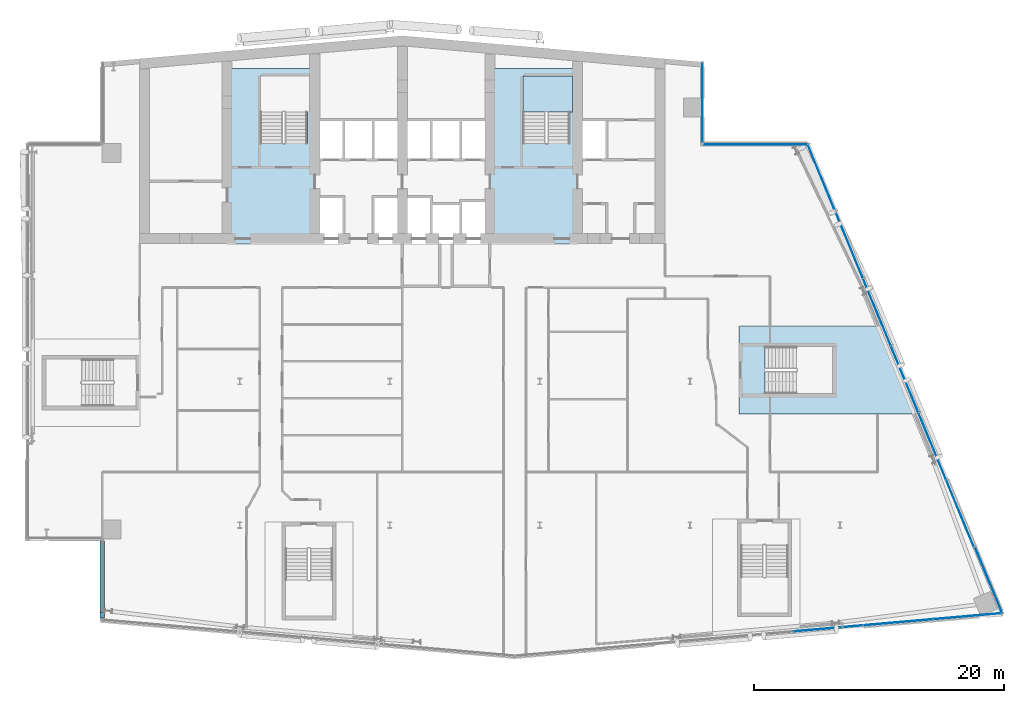
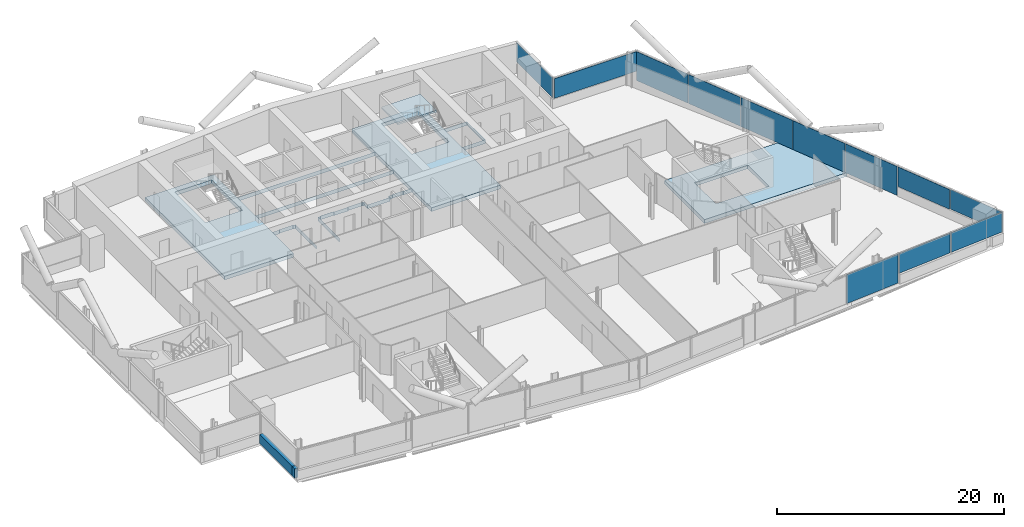
# One storey, part 13 of 26: 12 plates, 3 slabs, 2 walls, 5 elements without a shape of their own.
"""IFC4 building model written with IfcOpenShell, lengths in metres."""

from ifc_helpers import new_model, si_unit, direction, frame, frame_2d, origin, origin_2d, place, context, subcontext, project, spatial, polyline, rectangle, outline, extrude, material, layer, layer_set, type_object, element, aggregate, save


model = new_model("IFC4")

# Units and contexts
model_context = context("Model", 3, precision=1e-05, world=origin(), true_north=direction((0.0, 1.0)))
body_context = subcontext(model_context, "Body", "Model", "MODEL_VIEW")
ifc_project = project(units=[si_unit("LENGTHUNIT", "METRE"), si_unit("AREAUNIT", "SQUARE_METRE"), si_unit("VOLUMEUNIT", "CUBIC_METRE"), si_unit("PLANEANGLEUNIT", "RADIAN"), si_unit("MASSUNIT", "GRAM", prefix="KILO")], contexts=[model_context])

# Site, building, storey
site_placement = place(None, origin())
site = spatial("IfcSite", under=ifc_project, at=site_placement, CompositionType="ELEMENT")
building_placement = place(site_placement, origin())
building = spatial("IfcBuilding", under=site, at=building_placement, Name="Wharfspan Tower", CompositionType="ELEMENT")
storey_placement = place(building_placement, frame((0.0, 0.0, 166.300049)))
storey = spatial("IfcBuildingStorey", under=building, at=storey_placement, Name="L40", CompositionType="ELEMENT", Elevation=166.300049)

# Curtain wall, plates
ifc_material_1 = material(Name="Aluminium 6063-T6", Category="aluminium")
curtain_wall_type_1 = type_object("IfcCurtainWallType", Name="CURTAIN WALL FACETED FRONT", PredefinedType="NOTDEFINED", material=ifc_material_1)
curtain_wall_1_placement = place(storey_placement, origin())
curtain_wall_1 = element("IfcCurtainWall", 1, at=curtain_wall_1_placement, inside=storey, type_object=curtain_wall_type_1, Name="Curtain wall S2", PredefinedType="NOTDEFINED")
ifc_material_2 = material(Name="Glass clear low-iron double glazing", Category="glass")
ifc_layer_1 = layer(ifc_material_2, 0.040039)
ifc_layer_set_1 = layer_set([ifc_layer_1], Name="Glass clear low-iron double glazing")
plate_type_1 = type_object("IfcPlateType", Name="GLASS PANEL FACETED FRONT 40", PredefinedType="CURTAIN_PANEL", material=ifc_layer_set_1)
plate_1_placement = place(storey_placement, frame((76.637695, 3.728516, 1.0), z_axis=(0.0, 0.0, 1.0), x_axis=(0.996198, 0.087156, 0.0)))
plate_1 = element("IfcPlate", 2, at=plate_1_placement, type_object=plate_type_1, Name="Curtain wall S2 panel 6", PredefinedType="CURTAIN_PANEL", context=body_context, shape_type="SweptSolid", body=[
    extrude(rectangle(XDim=5.532715, YDim=0.040039, at=origin_2d()), origin(), (0.0, 0.0, 1.0), 2.120117),
])
plate_2_placement = place(storey_placement, frame((82.194092, 4.214844, 1.0), z_axis=(0.0, 0.0, 1.0), x_axis=(0.996198, 0.087156, 0.0)))
plate_2 = element("IfcPlate", 3, at=plate_2_placement, type_object=plate_type_1, Name="Curtain wall S2 panel 7", PredefinedType="CURTAIN_PANEL", context=body_context, shape_type="SweptSolid", body=[
    extrude(rectangle(XDim=5.502686, YDim=0.040039, at=origin_2d()), origin(), (0.0, 0.0, 1.0), 2.120117),
])

curtain_wall_type_2 = type_object("IfcCurtainWallType", Name="CURTAIN WALL PROW AND END", PredefinedType="NOTDEFINED", material=ifc_material_1)
curtain_wall_2_placement = place(storey_placement, origin())
curtain_wall_2 = element("IfcCurtainWall", 4, at=curtain_wall_2_placement, inside=storey, type_object=curtain_wall_type_2, Name="Curtain wall E", PredefinedType="NOTDEFINED")
ifc_layer_2 = layer(ifc_material_2, 0.040039)
ifc_layer_set_2 = layer_set([ifc_layer_2], Name="Glass clear low-iron double glazing")
plate_type_2 = type_object("IfcPlateType", Name="GLASS PANEL PROW AND END 40", PredefinedType="CURTAIN_PANEL", material=ifc_layer_set_2)
plate_3_placement = place(storey_placement, frame((83.885498, 7.099609, 1.0), z_axis=(0.0, 0.0, 1.0), x_axis=(-0.381602, 0.924325, 0.0)))
plate_3 = element("IfcPlate", 5, at=plate_3_placement, type_object=plate_type_2, Name="Curtain wall E panel 1", PredefinedType="CURTAIN_PANEL", context=body_context, shape_type="SweptSolid", body=[
    extrude(rectangle(XDim=5.721191, YDim=0.040039, at=origin_2d()), origin(), (0.0, 0.0, 1.0), 2.120117),
])
plate_4_placement = place(storey_placement, frame((81.599609, 12.426514, 1.0), z_axis=(0.0, 0.0, 1.0), x_axis=(-0.381602, 0.924325, 0.0)))
plate_4 = element("IfcPlate", 6, at=plate_4_placement, type_object=plate_type_2, Name="Curtain wall E panel 2", PredefinedType="CURTAIN_PANEL", context=body_context, shape_type="SweptSolid", body=[
    extrude(rectangle(XDim=5.751221, YDim=0.040039, at=origin_2d()), origin(), (0.0, 0.0, 1.0), 2.120117),
])

# Curtain wall, plate
curtain_wall_3_placement = place(storey_placement, origin())
curtain_wall_3 = element("IfcCurtainWall", 7, at=curtain_wall_3_placement, inside=storey, type_object=curtain_wall_type_2, Name="Curtain wall NRE-H", PredefinedType="NOTDEFINED")
plate_5_placement = place(storey_placement, frame((65.238525, 41.919922, 1.0), z_axis=(0.0, 0.0, 1.0), x_axis=(-1.0, 0.0, 0.0)))
plate_5 = element("IfcPlate", 8, at=plate_5_placement, type_object=plate_type_2, Name="Curtain wall NRE-H panel 1", PredefinedType="CURTAIN_PANEL", context=body_context, shape_type="SweptSolid", body=[
    extrude(rectangle(XDim=8.357178, YDim=0.040039, at=origin_2d()), origin(), (0.0, 0.0, 1.0), 2.120117),
])
aggregate(curtain_wall_3, [plate_5])

curtain_wall_4_placement = place(storey_placement, origin())
curtain_wall_4 = element("IfcCurtainWall", 9, at=curtain_wall_4_placement, inside=storey, type_object=curtain_wall_type_2, Name="Curtain wall NRE-V", PredefinedType="NOTDEFINED")
plate_6_placement = place(storey_placement, frame((61.0, 45.262451, 1.0), z_axis=(0.0, 0.0, 1.0), x_axis=(0.0, 1.0, 0.0)))
plate_6 = element("IfcPlate", 10, at=plate_6_placement, type_object=plate_type_2, Name="Curtain wall NRE-V panel 1", PredefinedType="CURTAIN_PANEL", context=body_context, shape_type="SweptSolid", body=[
    extrude(rectangle(XDim=6.405029, YDim=0.040039, at=origin_2d()), origin(), (0.0, 0.0, 1.0), 2.120117),
])
aggregate(curtain_wall_4, [plate_6])

# Plate
ifc_material_3 = material(Name="Aluminium composite opaque insulated panel", Category="aluminium")
ifc_layer_3 = layer(ifc_material_3, 0.040039)
ifc_layer_set_3 = layer_set([ifc_layer_3], Name="Aluminium composite opaque insulated panel")
plate_type_3 = type_object("IfcPlateType", Name="INFILL PANEL FACETED FRONT OPAQUE 40", PredefinedType="SHEET", material=ifc_layer_set_3)
plate_7_placement = place(storey_placement, frame((71.066162, 3.241211, 0.0), z_axis=(0.0, 0.0, 1.0), x_axis=(0.996198, 0.087156, 0.0)))
plate_7 = element("IfcPlate", 11, at=plate_7_placement, type_object=plate_type_3, Name="Curtain wall S2 panel 5", PredefinedType="SHEET", context=body_context, shape_type="SweptSolid", body=[
    extrude(rectangle(XDim=5.532715, YDim=0.040039, at=origin_2d()), origin(), (0.0, 0.0, 1.0), 3.120117),
])

aggregate(curtain_wall_1, [plate_7, plate_1, plate_2])

ifc_layer_4 = layer(ifc_material_3, 0.040039)
ifc_layer_set_4 = layer_set([ifc_layer_4], Name="Aluminium composite opaque insulated panel")
plate_type_4 = type_object("IfcPlateType", Name="INFILL PANEL PROW AND END OPAQUE 40", PredefinedType="SHEET", material=ifc_layer_set_4)
plate_8_placement = place(storey_placement, frame((79.38208, 17.798096, 0.0), z_axis=(0.0, 0.0, 1.0), x_axis=(-0.381602, 0.924325, 0.0)))
plate_8 = element("IfcPlate", 12, at=plate_8_placement, type_object=plate_type_4, Name="Curtain wall E panel 3", PredefinedType="SHEET", context=body_context, shape_type="SweptSolid", body=[
    extrude(rectangle(XDim=5.751221, YDim=0.040039, at=origin_2d()), origin(), (0.0, 0.0, 1.0), 3.120117),
])

plate_9_placement = place(storey_placement, frame((77.164551, 23.169434, 0.0), z_axis=(0.0, 0.0, 1.0), x_axis=(-0.381602, 0.924325, 0.0)))
plate_9 = element("IfcPlate", 13, at=plate_9_placement, type_object=plate_type_4, Name="Curtain wall E panel 4", PredefinedType="SHEET", context=body_context, shape_type="SweptSolid", body=[
    extrude(rectangle(XDim=5.751221, YDim=0.040039, at=origin_2d()), origin(), (0.0, 0.0, 1.0), 3.120117),
])

plate_10_placement = place(storey_placement, frame((74.947021, 28.541016, 0.0), z_axis=(0.0, 0.0, 1.0), x_axis=(-0.381602, 0.924325, 0.0)))
plate_10 = element("IfcPlate", 14, at=plate_10_placement, type_object=plate_type_4, Name="Curtain wall E panel 5", PredefinedType="SHEET", context=body_context, shape_type="SweptSolid", body=[
    extrude(rectangle(XDim=5.751221, YDim=0.040039, at=origin_2d()), origin(), (0.0, 0.0, 1.0), 3.120117),
])

plate_11_placement = place(storey_placement, frame((72.729492, 33.912354, 0.0), z_axis=(0.0, 0.0, 1.0), x_axis=(-0.381602, 0.924325, 0.0)))
plate_11 = element("IfcPlate", 15, at=plate_11_placement, type_object=plate_type_4, Name="Curtain wall E panel 6", PredefinedType="SHEET", context=body_context, shape_type="SweptSolid", body=[
    extrude(rectangle(XDim=5.751221, YDim=0.040039, at=origin_2d()), origin(), (0.0, 0.0, 1.0), 3.120117),
])

plate_12_placement = place(storey_placement, frame((70.517578, 39.269775, 0.0), z_axis=(0.0, 0.0, 1.0), x_axis=(-0.381602, 0.924325, 0.0)))
plate_12 = element("IfcPlate", 16, at=plate_12_placement, type_object=plate_type_4, Name="Curtain wall E panel 7", PredefinedType="SHEET", context=body_context, shape_type="SweptSolid", body=[
    extrude(rectangle(XDim=5.721191, YDim=0.040039, at=origin_2d()), origin(), (0.0, 0.0, 1.0), 3.120117),
])

aggregate(curtain_wall_2, [plate_3, plate_4, plate_8, plate_9, plate_10, plate_11, plate_12])

# Slabs
ifc_material_4 = material(Name="Concrete C40/50", Category="concrete")
ifc_layer_5 = layer(ifc_material_4, 0.399902)
ifc_layer_set_5 = layer_set([ifc_layer_5], Name="Concrete C40/50")
slab_type_1 = type_object("IfcSlabType", Name="Post-tensioned flat slab 400", PredefinedType="FLOOR", material=ifc_layer_set_5)
slab_1_placement = place(storey_placement, frame((0.0, 0.0, -0.400146)))
element("IfcSlab", 17, at=slab_1_placement, inside=storey, type_object=slab_type_1, Name="Core floor slab L40 part 3", PredefinedType="FLOOR", context=body_context, shape_type="SweptSolid", body=[
    extrude(outline(polyline([(23.0, 34.0), (29.998047, 34.0), (29.998047, 37.75), (29.998047, 37.750244), (29.998047, 37.750488), (29.998047, 37.750488), (29.998291, 37.750732), (29.998291, 37.750977), (29.998291, 37.751221), (29.998535, 37.751221), (29.998535, 37.751465), (29.998779, 37.751465), (29.998779, 37.751709), (29.999023, 37.751709), (29.999268, 37.751709), (29.999512, 37.751953), (29.999512, 37.751953), (29.999756, 37.751953), (30.0, 37.751953), (30.7146, 37.751953), (30.7146, 37.800049), (30.7146, 37.800293), (30.7146, 37.800293), (30.714844, 37.800537), (30.714844, 37.800781), (30.714844, 37.800781), (30.715088, 37.801025), (30.715088, 37.80127), (30.715332, 37.801514), (30.715332, 37.801514), (30.715576, 37.801758), (30.71582, 37.801758), (30.71582, 37.801758), (30.716064, 37.802002), (30.716309, 37.802002), (30.716553, 37.802002), (30.716797, 37.802002), (32.116699, 37.802002), (32.116943, 37.802002), (32.117188, 37.802002), (32.117188, 37.802002), (32.117432, 37.801758), (32.117676, 37.801758), (32.11792, 37.801758), (32.11792, 37.801514), (32.118164, 37.801514), (32.118164, 37.80127), (32.118408, 37.801025), (32.118408, 37.800781), (32.118408, 37.800781), (32.118652, 37.800537), (32.118652, 37.800293), (32.118652, 37.800293), (32.118652, 37.800049), (32.118652, 37.751953), (32.333252, 37.751953), (32.333496, 37.751953), (32.33374, 37.751953), (32.333984, 37.751953), (32.333984, 37.751709), (32.334229, 37.751709), (32.334473, 37.751709), (32.334717, 37.751465), (32.334717, 37.751465), (32.334961, 37.751221), (32.334961, 37.751221), (32.335205, 37.750977), (32.335205, 37.750732), (32.335205, 37.750488), (32.335205, 37.750488), (32.335205, 37.750244), (32.335205, 37.75), (32.335205, 34.0), (32.341309, 34.0), (32.341309, 37.758057), (32.126709, 37.758057), (32.126465, 37.758057), (32.126221, 37.758057), (32.126221, 37.758057), (32.125977, 37.758301), (32.125732, 37.758301), (32.125488, 37.758301), (32.125488, 37.758545), (32.125244, 37.758545), (32.125244, 37.758789), (32.125, 37.758789), (32.125, 37.759033), (32.125, 37.759277), (32.124756, 37.759521), (32.124756, 37.759521), (32.124756, 37.759766), (32.124756, 37.76001), (32.124756, 37.808105), (30.70874, 37.808105), (30.70874, 37.76001), (30.70874, 37.759766), (30.70874, 37.759521), (30.708496, 37.759521), (30.708496, 37.759277), (30.708496, 37.759033), (30.708496, 37.758789), (30.708252, 37.758789), (30.708008, 37.758545), (30.708008, 37.758545), (30.707764, 37.758301), (30.70752, 37.758301), (30.70752, 37.758301), (30.707275, 37.758057), (30.707031, 37.758057), (30.706787, 37.758057), (30.706787, 37.758057), (30.01001, 37.758057), (30.009766, 37.758057), (30.009521, 37.758057), (30.009521, 37.758057), (30.009277, 37.758301), (30.009033, 37.758301), (30.008789, 37.758301), (30.008789, 37.758545), (30.008545, 37.758545), (30.008545, 37.758789), (30.008301, 37.758789), (30.008301, 37.759033), (30.008301, 37.759277), (30.008057, 37.759521), (30.008057, 37.759521), (30.008057, 37.759766), (30.008057, 37.76001), (30.008057, 40.689941), (30.008057, 40.690186), (30.008057, 40.69043), (30.008057, 40.690674), (30.008301, 40.690918), (30.008301, 40.690918), (30.008301, 40.691162), (30.008545, 40.691406), (30.008545, 40.691406), (30.008789, 40.691406), (30.008789, 40.69165), (30.009033, 40.691895), (30.009277, 40.691895), (30.009521, 40.691895), (30.009521, 40.691895), (30.009766, 40.691895), (30.01001, 40.691895), (43.98999, 40.691895), (43.990234, 40.691895), (43.990479, 40.691895), (43.990479, 40.691895), (43.990723, 40.691895), (43.990967, 40.691895), (43.991211, 40.69165), (43.991211, 40.691406), (43.991455, 40.691406), (43.991455, 40.691406), (43.991699, 40.691162), (43.991699, 40.690918), (43.991699, 40.690918), (43.991943, 40.690674), (43.991943, 40.69043), (43.991943, 40.690186), (43.991943, 40.689941), (43.991943, 37.459961), (43.991943, 37.459717), (43.991943, 37.459717), (43.991943, 37.459473), (43.991699, 37.459229), (43.991699, 37.458984), (43.991699, 37.458984), (43.991455, 37.45874), (43.991455, 37.458496), (43.991211, 37.458496), (43.991211, 37.458252), (43.990967, 37.458252), (43.990723, 37.458252), (43.990479, 37.458008), (43.990479, 37.458008), (43.990234, 37.458008), (43.98999, 37.458008), (43.143311, 37.458008), (43.143066, 37.458008), (43.142822, 37.458008), (43.142578, 37.458008), (43.142578, 37.458252), (43.142334, 37.458252), (43.14209, 37.458252), (43.14209, 37.458496), (43.141846, 37.458496), (43.141846, 37.45874), (43.141602, 37.458984), (43.141602, 37.458984), (43.141602, 37.459229), (43.141357, 37.459473), (43.141357, 37.459717), (43.141357, 37.459717), (43.141357, 37.459961), (43.141357, 37.508057), (42.025391, 37.508057), (42.025391, 37.459961), (42.025391, 37.459717), (42.025391, 37.459717), (42.025146, 37.459473), (42.025146, 37.459229), (42.025146, 37.458984), (42.024902, 37.458984), (42.024902, 37.45874), (42.024658, 37.458496), (42.024658, 37.458496), (42.024414, 37.458252), (42.02417, 37.458252), (42.02417, 37.458252), (42.023926, 37.458008), (42.023682, 37.458008), (42.023438, 37.458008), (42.023193, 37.458008), (41.658691, 37.458008), (41.658691, 37.209961), (41.658691, 37.209717), (41.658691, 37.209717), (41.658691, 37.209473), (41.658447, 37.209229), (41.658447, 37.208984), (41.658447, 37.208984), (41.658203, 37.20874), (41.658203, 37.208496), (41.657959, 37.208496), (41.657715, 37.208252), (41.657715, 37.208252), (41.657471, 37.208252), (41.657227, 37.208008), (41.656982, 37.208008), (41.656982, 37.208008), (41.656738, 37.208008), (39.343262, 37.208008), (39.343018, 37.208008), (39.343018, 37.208008), (39.342773, 37.208008), (39.342529, 37.208252), (39.342285, 37.208252), (39.342285, 37.208252), (39.342041, 37.208496), (39.341797, 37.208496), (39.341797, 37.20874), (39.341553, 37.208984), (39.341553, 37.208984), (39.341553, 37.209229), (39.341309, 37.209473), (39.341309, 37.209717), (39.341309, 37.209717), (39.341309, 37.209961), (39.341309, 37.758057), (39.166748, 37.758057), (39.166504, 37.758057), (39.16626, 37.758057), (39.166016, 37.758057), (39.166016, 37.758301), (39.165771, 37.758301), (39.165527, 37.758301), (39.165283, 37.758545), (39.165283, 37.758545), (39.165283, 37.758789), (39.165039, 37.758789), (39.164795, 37.759033), (39.164795, 37.759277), (39.164795, 37.759521), (39.164795, 37.759521), (39.164795, 37.759766), (39.164795, 37.76001), (39.164795, 37.808105), (37.668701, 37.808105), (37.668701, 37.76001), (37.668701, 37.759766), (37.668701, 37.759521), (37.668701, 37.759521), (37.668457, 37.759277), (37.668457, 37.759033), (37.668457, 37.758789), (37.668213, 37.758789), (37.668213, 37.758545), (37.667969, 37.758545), (37.667725, 37.758301), (37.66748, 37.758301), (37.66748, 37.758301), (37.667236, 37.758057), (37.666992, 37.758057), (37.666992, 37.758057), (37.666748, 37.758057), (36.293213, 37.758057), (36.293213, 37.758057), (36.292969, 37.758057), (36.292725, 37.758057), (36.29248, 37.758301), (36.29248, 37.758301), (36.292236, 37.758301), (36.291992, 37.758545), (36.291992, 37.758545), (36.291748, 37.758789), (36.291504, 37.758789), (36.291504, 37.759033), (36.291504, 37.759277), (36.291504, 37.759521), (36.29126, 37.759521), (36.29126, 37.759766), (36.29126, 37.76001), (36.29126, 37.808105), (34.875244, 37.808105), (34.875244, 37.76001), (34.875244, 37.759766), (34.875244, 37.759521), (34.875244, 37.759521), (34.875, 37.759277), (34.875, 37.759033), (34.875, 37.758789), (34.874756, 37.758789), (34.874756, 37.758545), (34.874512, 37.758545), (34.874512, 37.758301), (34.874268, 37.758301), (34.874023, 37.758301), (34.873779, 37.758057), (34.873779, 37.758057), (34.873535, 37.758057), (34.873291, 37.758057), (34.658691, 37.758057), (34.658691, 34.0), (34.664795, 34.0), (34.664795, 37.75), (34.664795, 37.750244), (34.664795, 37.750488), (34.664795, 37.750488), (34.664795, 37.750732), (34.664795, 37.750977), (34.665039, 37.751221), (34.665039, 37.751221), (34.665283, 37.751465), (34.665283, 37.751465), (34.665527, 37.751709), (34.665771, 37.751709), (34.666016, 37.751709), (34.666016, 37.751953), (34.66626, 37.751953), (34.666504, 37.751953), (34.666748, 37.751953), (34.881348, 37.751953), (34.881348, 37.800049), (34.881348, 37.800293), (34.881348, 37.800293), (34.881348, 37.800537), (34.881592, 37.800781), (34.881592, 37.800781), (34.881592, 37.801025), (34.881836, 37.80127), (34.881836, 37.801514), (34.88208, 37.801514), (34.88208, 37.801758), (34.882324, 37.801758), (34.882568, 37.801758), (34.882812, 37.802002), (34.882812, 37.802002), (34.883057, 37.802002), (34.883301, 37.802002), (36.283203, 37.802002), (36.283447, 37.802002), (36.283691, 37.802002), (36.283936, 37.802002), (36.28418, 37.801758), (36.28418, 37.801758), (36.284424, 37.801758), (36.284668, 37.801514), (36.284668, 37.801514), (36.284912, 37.80127), (36.284912, 37.801025), (36.285156, 37.800781), (36.285156, 37.800781), (36.285156, 37.800537), (36.2854, 37.800293), (36.2854, 37.800293), (36.2854, 37.800049), (36.2854, 37.751953), (37.674805, 37.751953), (37.674805, 37.800049), (37.674805, 37.800293), (37.674805, 37.800293), (37.674805, 37.800537), (37.674805, 37.800781), (37.674805, 37.800781), (37.675049, 37.801025), (37.675049, 37.80127), (37.675293, 37.801514), (37.675293, 37.801514), (37.675537, 37.801758), (37.675781, 37.801758), (37.675781, 37.801758), (37.676025, 37.802002), (37.67627, 37.802002), (37.676514, 37.802002), (37.676758, 37.802002), (39.156738, 37.802002), (39.156982, 37.802002), (39.156982, 37.802002), (39.157227, 37.802002), (39.157471, 37.801758), (39.157715, 37.801758), (39.157715, 37.801758), (39.157959, 37.801514), (39.158203, 37.801514), (39.158203, 37.80127), (39.158203, 37.801025), (39.158447, 37.800781), (39.158447, 37.800781), (39.158691, 37.800537), (39.158691, 37.800293), (39.158691, 37.800293), (39.158691, 37.800049), (39.158691, 37.751953), (39.333252, 37.751953), (39.333496, 37.751953), (39.33374, 37.751953), (39.333984, 37.751953), (39.333984, 37.751709), (39.334229, 37.751709), (39.334473, 37.751709), (39.334717, 37.751465), (39.334717, 37.751465), (39.334961, 37.751221), (39.334961, 37.751221), (39.335205, 37.750977), (39.335205, 37.750732), (39.335205, 37.750488), (39.335205, 37.750488), (39.335205, 37.750244), (39.335205, 37.75), (39.335205, 37.201904), (41.664795, 37.201904), (41.664795, 37.449951), (41.664795, 37.450195), (41.664795, 37.450439), (41.664795, 37.450684), (41.664795, 37.450684), (41.664795, 37.450928), (41.665039, 37.451172), (41.665039, 37.451416), (41.665283, 37.451416), (41.665283, 37.451416), (41.665527, 37.45166), (41.665771, 37.451904), (41.666016, 37.451904), (41.666016, 37.451904), (41.66626, 37.451904), (41.666504, 37.451904), (41.666748, 37.451904), (42.03125, 37.451904), (42.03125, 37.5), (42.03125, 37.500244), (42.031494, 37.500488), (42.031494, 37.500488), (42.031494, 37.500732), (42.031494, 37.500977), (42.031738, 37.501221), (42.031738, 37.501221), (42.031982, 37.501465), (42.031982, 37.501465), (42.032227, 37.501709), (42.032471, 37.501709), (42.032715, 37.501709), (42.032715, 37.501953), (42.032959, 37.501953), (42.033203, 37.501953), (42.033203, 37.501953), (43.133301, 37.501953), (43.133545, 37.501953), (43.133789, 37.501953), (43.133789, 37.501953), (43.134033, 37.501709), (43.134277, 37.501709), (43.134521, 37.501709), (43.134521, 37.501465), (43.134766, 37.501465), (43.13501, 37.501221), (43.13501, 37.501221), (43.13501, 37.500977), (43.135254, 37.500732), (43.135254, 37.500488), (43.135254, 37.500488), (43.135254, 37.500244), (43.135254, 37.5), (43.135254, 37.451904), (44.0, 37.451904), (44.000244, 37.451904), (44.000488, 37.451904), (44.000488, 37.451904), (44.000732, 37.451904), (44.000977, 37.451904), (44.001221, 37.45166), (44.001221, 37.451416), (44.001465, 37.451416), (44.001465, 37.451416), (44.001709, 37.451172), (44.001709, 37.450928), (44.001709, 37.450684), (44.001953, 37.450684), (44.001953, 37.450439), (44.001953, 37.450195), (44.001953, 37.449951), (44.001953, 34.0), (51.0, 34.0), (51.008057, 34.0), (51.008057, 40.689941), (51.008057, 40.690186), (51.008057, 40.69043), (51.008057, 40.690674), (51.008301, 40.690918), (51.008301, 40.690918), (51.008301, 40.691162), (51.008545, 40.691406), (51.008545, 40.691406), (51.008789, 40.691406), (51.008789, 40.69165), (51.009033, 40.691895), (51.009277, 40.691895), (51.009521, 40.691895), (51.009521, 40.691895), (51.009766, 40.691895), (51.01001, 40.691895), (53.341309, 40.691895), (53.341309, 43.907959), (51.01001, 43.907959), (51.009766, 43.907959), (51.009521, 43.907959), (51.009521, 43.908203), (51.009277, 43.908203), (51.009033, 43.908203), (51.008789, 43.908203), (51.008789, 43.908447), (51.008545, 43.908691), (51.008545, 43.908691), (51.008301, 43.908936), (51.008301, 43.90918), (51.008301, 43.90918), (51.008057, 43.909424), (51.008057, 43.909668), (51.008057, 43.909912), (51.008057, 43.909912), (51.008057, 48.008057), (43.991943, 48.008057), (43.991943, 43.909912), (43.991943, 43.909912), (43.991943, 43.909668), (43.991943, 43.909424), (43.991699, 43.90918), (43.991699, 43.90918), (43.991699, 43.908936), (43.991455, 43.908691), (43.991455, 43.908691), (43.991211, 43.908447), (43.991211, 43.908203), (43.990967, 43.908203), (43.990723, 43.908203), (43.990479, 43.908203), (43.990479, 43.907959), (43.990234, 43.907959), (43.98999, 43.907959), (30.01001, 43.907959), (30.009766, 43.907959), (30.009521, 43.907959), (30.009521, 43.908203), (30.009277, 43.908203), (30.009033, 43.908203), (30.008789, 43.908203), (30.008789, 43.908447), (30.008545, 43.908691), (30.008545, 43.908691), (30.008301, 43.908936), (30.008301, 43.90918), (30.008301, 43.90918), (30.008057, 43.909424), (30.008057, 43.909668), (30.008057, 43.909912), (30.008057, 43.909912), (30.008057, 48.008057), (22.991943, 48.008057), (22.991943, 34.0), (23.0, 34.0)]), holes=[polyline([(53.333252, 43.9021), (53.333496, 43.9021), (53.33374, 43.9021), (53.333984, 43.901855), (53.333984, 43.901855), (53.334229, 43.901855), (53.334473, 43.901611), (53.334717, 43.901611), (53.334717, 43.901367), (53.334961, 43.901367), (53.334961, 43.901123), (53.335205, 43.900879), (53.335205, 43.900879), (53.335205, 43.900635), (53.335205, 43.900391), (53.335205, 43.900146), (53.335205, 43.899902), (53.335205, 40.699951), (53.335205, 40.699707), (53.335205, 40.699707), (53.335205, 40.699463), (53.335205, 40.699219), (53.335205, 40.699219), (53.334961, 40.698975), (53.334961, 40.69873), (53.334717, 40.698486), (53.334717, 40.698486), (53.334473, 40.698242), (53.334229, 40.698242), (53.333984, 40.698242), (53.333984, 40.697998), (53.33374, 40.697998), (53.333496, 40.697998), (53.333252, 40.697998), (51.0, 40.697998), (50.999756, 40.697998), (50.999512, 40.697998), (50.999512, 40.697998), (50.999268, 40.698242), (50.999023, 40.698242), (50.998779, 40.698242), (50.998779, 40.698486), (50.998535, 40.698486), (50.998535, 40.69873), (50.998291, 40.698975), (50.998291, 40.699219), (50.998291, 40.699219), (50.998047, 40.699463), (50.998047, 40.699707), (50.998047, 40.699707), (50.998047, 40.699951), (50.998047, 43.899902), (50.998047, 43.900146), (50.998047, 43.900391), (50.998047, 43.900635), (50.998291, 43.900879), (50.998291, 43.900879), (50.998291, 43.901123), (50.998535, 43.901367), (50.998535, 43.901367), (50.998779, 43.901611), (50.998779, 43.901611), (50.999023, 43.901855), (50.999268, 43.901855), (50.999512, 43.901855), (50.999512, 43.9021), (50.999756, 43.9021), (51.0, 43.9021), (53.333252, 43.9021)]), polyline([(46.649902, 41.998047), (46.649902, 41.998047), (46.649658, 41.998047), (46.649414, 41.998047), (46.64917, 41.998291), (46.64917, 41.998291), (46.648926, 41.998291), (46.648682, 41.998535), (46.648682, 41.998535), (46.648438, 41.998779), (46.648193, 41.998779), (46.648193, 41.999023), (46.648193, 41.999268), (46.648193, 41.999512), (46.647949, 41.999512), (46.647949, 41.999756), (46.647949, 42.0), (46.647949, 47.399902), (46.647949, 47.400146), (46.647949, 47.400391), (46.648193, 47.400635), (46.648193, 47.400879), (46.648193, 47.400879), (46.648193, 47.401123), (46.648438, 47.401367), (46.648682, 47.401367), (46.648682, 47.401611), (46.648926, 47.401611), (46.64917, 47.401855), (46.64917, 47.401855), (46.649414, 47.401855), (46.649658, 47.4021), (46.649902, 47.4021), (46.649902, 47.4021), (50.399902, 47.4021), (50.400146, 47.4021), (50.400391, 47.4021), (50.400635, 47.401855), (50.400879, 47.401855), (50.400879, 47.401855), (50.401123, 47.401611), (50.401367, 47.401611), (50.401367, 47.401367), (50.401611, 47.401367), (50.401611, 47.401123), (50.401855, 47.400879), (50.401855, 47.400879), (50.401855, 47.400635), (50.4021, 47.400391), (50.4021, 47.400146), (50.4021, 47.399902), (50.4021, 42.0), (50.4021, 41.999756), (50.4021, 41.999512), (50.401855, 41.999512), (50.401855, 41.999268), (50.401855, 41.999023), (50.401611, 41.998779), (50.401611, 41.998779), (50.401367, 41.998535), (50.401367, 41.998535), (50.401123, 41.998291), (50.400879, 41.998291), (50.400879, 41.998291), (50.400635, 41.998047), (50.400391, 41.998047), (50.400146, 41.998047), (50.399902, 41.998047), (46.649902, 41.998047)]), polyline([(44.0, 43.9021), (44.000244, 43.9021), (44.000488, 43.9021), (44.000488, 43.901855), (44.000732, 43.901855), (44.000977, 43.901855), (44.001221, 43.901611), (44.001221, 43.901611), (44.001465, 43.901367), (44.001465, 43.901367), (44.001709, 43.901123), (44.001709, 43.900879), (44.001709, 43.900879), (44.001953, 43.900635), (44.001953, 43.900391), (44.001953, 43.900146), (44.001953, 43.899902), (44.001953, 40.699951), (44.001953, 40.699707), (44.001953, 40.699707), (44.001953, 40.699463), (44.001709, 40.699219), (44.001709, 40.699219), (44.001709, 40.698975), (44.001465, 40.69873), (44.001465, 40.698486), (44.001221, 40.698486), (44.001221, 40.698242), (44.000977, 40.698242), (44.000732, 40.698242), (44.000488, 40.697998), (44.000488, 40.697998), (44.000244, 40.697998), (44.0, 40.697998), (30.0, 40.697998), (29.999756, 40.697998), (29.999512, 40.697998), (29.999512, 40.697998), (29.999268, 40.698242), (29.999023, 40.698242), (29.998779, 40.698242), (29.998779, 40.698486), (29.998535, 40.698486), (29.998535, 40.69873), (29.998291, 40.698975), (29.998291, 40.699219), (29.998291, 40.699219), (29.998047, 40.699463), (29.998047, 40.699707), (29.998047, 40.699707), (29.998047, 40.699951), (29.998047, 43.899902), (29.998047, 43.900146), (29.998047, 43.900391), (29.998047, 43.900635), (29.998291, 43.900879), (29.998291, 43.900879), (29.998291, 43.901123), (29.998535, 43.901367), (29.998535, 43.901367), (29.998779, 43.901611), (29.998779, 43.901611), (29.999023, 43.901855), (29.999268, 43.901855), (29.999512, 43.901855), (29.999512, 43.9021), (29.999756, 43.9021), (30.0, 43.9021), (44.0, 43.9021)]), polyline([(29.4021, 42.0), (29.4021, 41.999756), (29.4021, 41.999512), (29.401855, 41.999512), (29.401855, 41.999268), (29.401855, 41.999023), (29.401611, 41.998779), (29.401611, 41.998779), (29.401367, 41.998535), (29.401367, 41.998535), (29.401123, 41.998291), (29.400879, 41.998291), (29.400879, 41.998291), (29.400635, 41.998047), (29.400391, 41.998047), (29.400146, 41.998047), (29.399902, 41.998047), (25.649902, 41.998047), (25.649902, 41.998047), (25.649658, 41.998047), (25.649414, 41.998047), (25.64917, 41.998291), (25.64917, 41.998291), (25.648926, 41.998291), (25.648682, 41.998535), (25.648682, 41.998535), (25.648438, 41.998779), (25.648193, 41.998779), (25.648193, 41.999023), (25.648193, 41.999268), (25.648193, 41.999512), (25.647949, 41.999512), (25.647949, 41.999756), (25.647949, 42.0), (25.647949, 47.399902), (25.647949, 47.400146), (25.647949, 47.400391), (25.648193, 47.400635), (25.648193, 47.400879), (25.648193, 47.400879), (25.648193, 47.401123), (25.648438, 47.401367), (25.648682, 47.401367), (25.648682, 47.401611), (25.648926, 47.401611), (25.64917, 47.401855), (25.64917, 47.401855), (25.649414, 47.401855), (25.649658, 47.4021), (25.649902, 47.4021), (25.649902, 47.4021), (29.399902, 47.4021), (29.400146, 47.4021), (29.400391, 47.4021), (29.400635, 47.401855), (29.400879, 47.401855), (29.400879, 47.401855), (29.401123, 47.401611), (29.401367, 47.401611), (29.401367, 47.401367), (29.401611, 47.401367), (29.401611, 47.401123), (29.401855, 47.400879), (29.401855, 47.400879), (29.401855, 47.400635), (29.4021, 47.400391), (29.4021, 47.400146), (29.4021, 47.399902), (29.4021, 42.0)])]), origin(), (0.0, 0.0, 1.0), 0.400146),
])
slab_2_placement = place(storey_placement, frame((0.0, 0.0, -0.400146)))
element("IfcSlab", 18, at=slab_2_placement, inside=storey, type_object=slab_type_1, Name="Core floor slab L40 part 5", PredefinedType="FLOOR", context=body_context, shape_type="SweptSolid", body=[
    extrude(outline(polyline([(78.394531, 20.399902), (75.504639, 27.399902), (63.904541, 27.399902), (63.904541, 20.399902), (78.394531, 20.399902)]), holes=[polyline([(66.004639, 22.022949), (66.004395, 22.022949), (66.00415, 22.022949), (66.003906, 22.023193), (66.003906, 22.023193), (66.003662, 22.023193), (66.003418, 22.023193), (66.003418, 22.023438), (66.003174, 22.023682), (66.00293, 22.023682), (66.00293, 22.023926), (66.002686, 22.02417), (66.002686, 22.02417), (66.002686, 22.024414), (66.002686, 22.024658), (66.002686, 22.024902), (66.002686, 22.024902), (66.002686, 25.774902), (66.002686, 25.775146), (66.002686, 25.775391), (66.002686, 25.775635), (66.002686, 25.775879), (66.002686, 25.775879), (66.00293, 25.776123), (66.00293, 25.776367), (66.003174, 25.776367), (66.003418, 25.776611), (66.003418, 25.776611), (66.003662, 25.776855), (66.003906, 25.776855), (66.003906, 25.776855), (66.00415, 25.7771), (66.004395, 25.7771), (66.004639, 25.7771), (71.404541, 25.7771), (71.404785, 25.7771), (71.405029, 25.7771), (71.405273, 25.776855), (71.405518, 25.776855), (71.405518, 25.776855), (71.405762, 25.776611), (71.406006, 25.776611), (71.406006, 25.776367), (71.406006, 25.776367), (71.40625, 25.776123), (71.406494, 25.775879), (71.406494, 25.775879), (71.406494, 25.775635), (71.406494, 25.775391), (71.406494, 25.775146), (71.406494, 25.774902), (71.406494, 22.024902), (71.406494, 22.024902), (71.406494, 22.024658), (71.406494, 22.024414), (71.406494, 22.02417), (71.406494, 22.02417), (71.40625, 22.023926), (71.406006, 22.023682), (71.406006, 22.023682), (71.406006, 22.023438), (71.405762, 22.023193), (71.405518, 22.023193), (71.405518, 22.023193), (71.405273, 22.023193), (71.405029, 22.022949), (71.404785, 22.022949), (71.404541, 22.022949), (66.004639, 22.022949)])]), origin(), (0.0, 0.0, 1.0), 0.400146),
])

# Stair, slab
stair_type = type_object("IfcStairType", Name="Half-turn stair 20 risers 180 mm", PredefinedType="HALF_TURN_STAIR", material=ifc_material_4)
stair_placement = place(storey_placement, origin())
stair = element("IfcStair", 19, at=stair_placement, inside=storey, type_object=stair_type, Name="L40 stair ST2", PredefinedType="HALF_TURN_STAIR")
ifc_layer_6 = layer(ifc_material_4, 0.199951)
ifc_layer_set_6 = layer_set([ifc_layer_6], Name="Concrete C40/50")
slab_type_2 = type_object("IfcSlabType", Name="Stair landing 200", PredefinedType="LANDING", material=ifc_layer_set_6)
slab_3_placement = place(storey_placement, frame((0.0, 0.0, 1.599854)))
slab_3 = element("IfcSlab", 20, at=slab_3_placement, type_object=slab_type_2, Name="ST2 landing 1", PredefinedType="LANDING", context=body_context, shape_type="SweptSolid", body=[
    extrude(outline(polyline([(46.649902, 44.52002), (50.600098, 44.52002), (50.600098, 47.399902), (46.649902, 47.399902), (46.649902, 44.52002)])), origin(), (0.0, 0.0, 1.0), 0.200195),
])
aggregate(stair, [slab_3])

# Walls
ifc_layer_7 = layer(ifc_material_4, 0.350098)
ifc_layer_set_7 = layer_set([ifc_layer_7], Name="Concrete C40/50")
wall_type = type_object("IfcWallType", Name="SPANDREL EXPOSED CONCRETE 350", PredefinedType="SOLIDWALL", material=ifc_layer_set_7)
wall_1_placement = place(storey_placement, frame((12.995117, 10.219971, 0.0), z_axis=(0.0, 0.0, 1.0), x_axis=(0.0, -1.0, 0.0)))
element("IfcWall", 21, at=wall_1_placement, inside=storey, type_object=wall_type, Name="Spandrel upstand L40 NFW-V", PredefinedType="SOLIDWALL", context=body_context, shape_type="SweptSolid", body=[
    extrude(rectangle(XDim=5.693359, YDim=0.350098, at=frame_2d((2.84668, 0.0))), origin(), (0.0, 0.0, 1.0), 1.0),
])
wall_2_placement = place(storey_placement, frame((12.995117, 4.512451, 0.0), z_axis=(0.0, 0.0, 1.0), x_axis=(0.0, -1.0, 0.0)))
element("IfcWall", 22, at=wall_2_placement, inside=storey, type_object=wall_type, Name="Spandrel upstand L40 NFW-V 2", PredefinedType="SOLIDWALL", context=body_context, shape_type="SweptSolid", body=[
    extrude(rectangle(XDim=0.453613, YDim=0.350098, at=frame_2d((0.226807, 0.0))), origin(), (0.0, 0.0, 1.0), 1.0),
])

save(model, "model.ifc")
